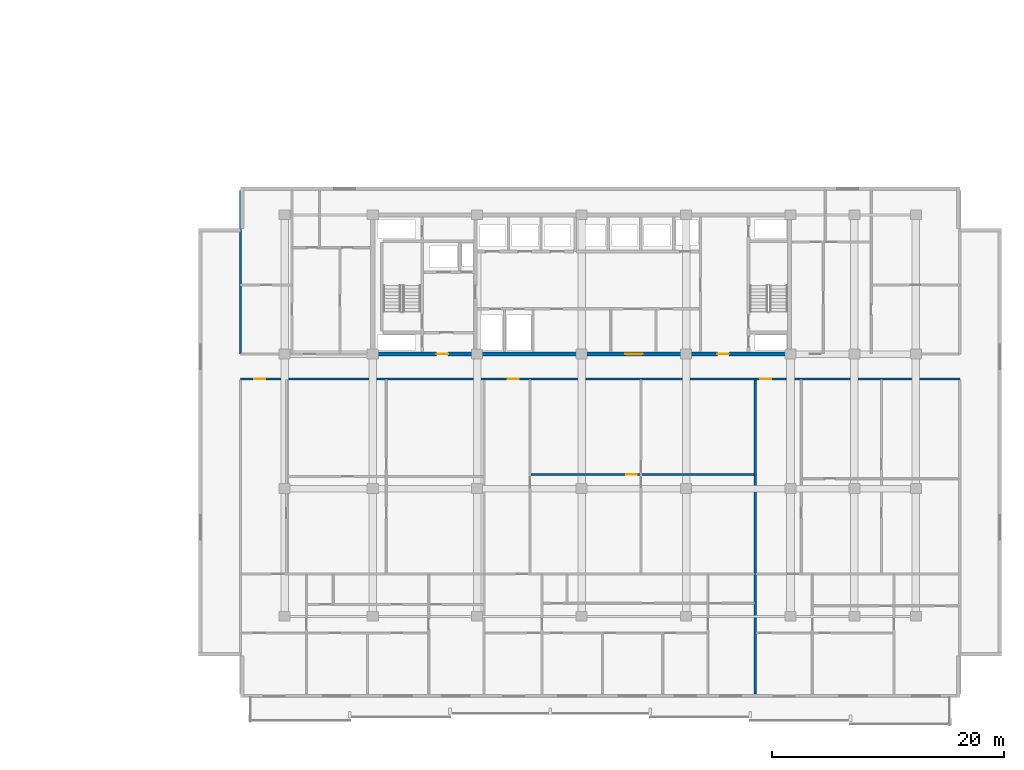
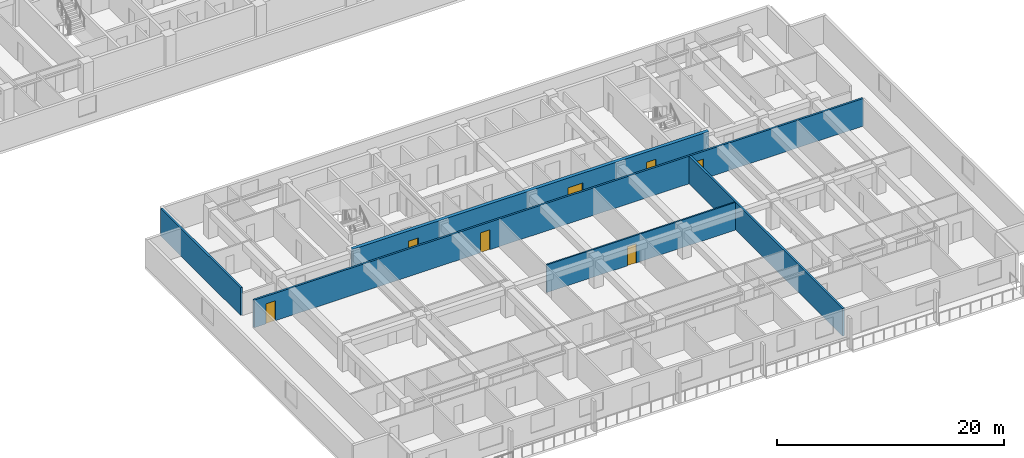
# One storey, part 5 of 23: 7 doors, 5 walls, 7 openings.
"""IFC4 building model written with IfcOpenShell, lengths in metres."""

from ifc_helpers import new_model, si_unit, direction, frame, frame_2d, origin, place, context, subcontext, project, spatial, rectangle, extrude, material, layer, layer_set, type_object, element, fill, save


model = new_model("IFC4")

# Units and contexts
model_context = context("Model", 3, precision=1e-05, world=origin(), true_north=direction((0.0, 1.0)))
body_context = subcontext(model_context, "Body", "Model", "MODEL_VIEW")
ifc_project = project(units=[si_unit("LENGTHUNIT", "METRE"), si_unit("AREAUNIT", "SQUARE_METRE"), si_unit("VOLUMEUNIT", "CUBIC_METRE"), si_unit("PLANEANGLEUNIT", "RADIAN"), si_unit("MASSUNIT", "GRAM", prefix="KILO")], contexts=[model_context])

# Site, building, storey
site_placement = place(None, origin())
site = spatial("IfcSite", under=ifc_project, at=site_placement, CompositionType="ELEMENT")
building_placement = place(site_placement, origin())
building = spatial("IfcBuilding", under=site, at=building_placement, Name="Korimba Cascade Residences", CompositionType="ELEMENT")
storey_placement = place(building_placement, frame((0.0, 0.0, 53.25)))
storey = spatial("IfcBuildingStorey", under=building, at=storey_placement, Name="L14", CompositionType="ELEMENT", Elevation=53.25)

# Wall, openings, doors
ifc_material_1 = material(Name="Concrete C65/80", Category="concrete")
ifc_layer_1 = layer(ifc_material_1, 0.35009765625)
ifc_layer_set_1 = layer_set([ifc_layer_1], Name="Concrete C65/80")
wall_type_1 = type_object("IfcWallType", Name="WAL-CORE-350", PredefinedType="SHEAR", material=ifc_layer_set_1)
wall_1_placement = place(storey_placement, frame((81.925048828125, 18.39990234375, 0.0), z_axis=(0.0, 0.0, 1.0), x_axis=(1.0, 0.0, 0.0)))
wall_1 = element("IfcWall", 1, at=wall_1_placement, inside=storey, type_object=wall_type_1, Name="L14 Core Shear Wall CW-L14-T2-S", PredefinedType="SHEAR", context=body_context, shape_type="SweptSolid", body=[
    extrude(rectangle(XDim=36.264892578125, YDim=0.35009765625, at=frame_2d((18.13232421875, 0.0))), origin(), (0.0, 0.0, 1.0), 3.25),
])
opening_1_placement = place(wall_1_placement, frame((5.675048828125, 0.0, 0.0)))
opening_1 = element("IfcOpeningElement", 2, at=opening_1_placement, cuts=wall_1, Name="Opening D-FD5", PredefinedType="OPENING", context=body_context, shape_type="SweptSolid", body=[
    extrude(rectangle(XDim=1.0, YDim=2.14990234375, at=frame_2d((0.5, 1.074951171875))), frame((0.0, 0.18505859375, 0.0), z_axis=(0.0, -1.0, 0.0), x_axis=(1.0, 0.0, 0.0)), (0.0, 0.0, 1.0), 0.3701171875),
])
opening_2_placement = place(wall_1_placement, frame((21.925048828125, 0.0, 0.0)))
opening_2 = element("IfcOpeningElement", 3, at=opening_2_placement, cuts=wall_1, Name="Opening D-FD8", PredefinedType="OPENING", context=body_context, shape_type="SweptSolid", body=[
    extrude(rectangle(XDim=1.5, YDim=2.199951171875, at=frame_2d((0.75, 1.10009765625))), frame((0.0, 0.18505859375, 0.0), z_axis=(0.0, -1.0, 0.0), x_axis=(1.0, 0.0, 0.0)), (0.0, 0.0, 1.0), 0.3701171875),
])
opening_3_placement = place(wall_1_placement, frame((29.875, 0.0, 0.0)))
opening_3 = element("IfcOpeningElement", 4, at=opening_3_placement, cuts=wall_1, Name="Opening D-FD5", PredefinedType="OPENING", context=body_context, shape_type="SweptSolid", body=[
    extrude(rectangle(XDim=1.0, YDim=2.14990234375, at=frame_2d((0.5, 1.074951171875))), frame((0.0, 0.18505859375, 0.0), z_axis=(0.0, -1.0, 0.0), x_axis=(1.0, 0.0, 0.0)), (0.0, 0.0, 1.0), 0.3701171875),
])
ifc_material_2 = material(Name="Fire-Rated Acoustic Timber Vestibule Door", Category="wood")
door_type_1 = type_object("IfcDoorType", Name="DR-FD90-1000", OperationType="NOTDEFINED", PredefinedType="DOOR", material=ifc_material_2)
door_1_placement = place(opening_1_placement, origin())
door_1 = element("IfcDoor", 5, at=door_1_placement, inside=storey, type_object=door_type_1, Name="L14 T2 West Core Vestibule Fire Door", OperationType="SINGLE_SWING_RIGHT", OverallHeight=2.14990234375, OverallWidth=1.0, PredefinedType="DOOR", context=body_context, shape_type="SweptSolid", body=[
    extrude(rectangle(XDim=1.0, YDim=2.14990234375, at=frame_2d((0.5, 1.074951171875))), frame((0.0, 0.02490234375, 0.0), z_axis=(0.0, -1.0, 0.0), x_axis=(1.0, 0.0, 0.0)), (0.0, 0.0, 1.0), 0.050048828125),
])
fill(opening_1, door_1)
door_2_placement = place(opening_3_placement, origin())
door_2 = element("IfcDoor", 6, at=door_2_placement, inside=storey, type_object=door_type_1, Name="L14 T2 East Stair Vestibule Fire Door", OperationType="SINGLE_SWING_LEFT", OverallHeight=2.14990234375, OverallWidth=1.0, PredefinedType="DOOR", context=body_context, shape_type="SweptSolid", body=[
    extrude(rectangle(XDim=1.0, YDim=2.14990234375, at=frame_2d((0.5, 1.074951171875))), frame((0.0, 0.02490234375, 0.0), z_axis=(0.0, -1.0, 0.0), x_axis=(1.0, 0.0, 0.0)), (0.0, 0.0, 1.0), 0.050048828125),
])
fill(opening_3, door_2)
ifc_material_3 = material(Name="Fire-Rated Glazed Lift Lobby Double Door", Category="glass")
door_type_2 = type_object("IfcDoorType", Name="DR-FD90-1500", OperationType="NOTDEFINED", PredefinedType="DOOR", material=ifc_material_3)
door_3_placement = place(opening_2_placement, origin())
door_3 = element("IfcDoor", 7, at=door_3_placement, inside=storey, type_object=door_type_2, Name="L14 T2 Lift Lobby Fire Door", OperationType="DOUBLE_DOOR_SINGLE_SWING", OverallHeight=2.199951171875, OverallWidth=1.5, PredefinedType="DOOR", context=body_context, shape_type="SweptSolid", body=[
    extrude(rectangle(XDim=1.5, YDim=2.199951171875, at=frame_2d((0.75, 1.10009765625))), frame((0.0, 0.02490234375, 0.0), z_axis=(0.0, -1.0, 0.0), x_axis=(1.0, 0.0, 0.0)), (0.0, 0.0, 1.0), 0.050048828125),
])
fill(opening_2, door_3)

# Walls
ifc_material_4 = material(Name="Precast concrete C40/50", Category="concrete")
ifc_layer_2 = layer(ifc_material_4, 0.199951171875)
ifc_layer_set_2 = layer_set([ifc_layer_2], Name="Precast concrete C40/50")
wall_type_2 = type_object("IfcWallType", Name="WAL-IT-200", PredefinedType="PARTITIONING", material=ifc_layer_set_2)
wall_2_placement = place(storey_placement, frame((70.699951171875, 18.39990234375, 0.0), z_axis=(0.0, 0.0, 1.0), x_axis=(0.0, 1.0, 0.0)))
element("IfcWall", 8, at=wall_2_placement, inside=storey, type_object=wall_type_2, Name="L14 Partition Wall WAL-L14-T2-FW-WL", PredefinedType="PARTITIONING", context=body_context, shape_type="SweptSolid", body=[
    extrude(rectangle(XDim=14.10009765625, YDim=0.199951171875, at=frame_2d((7.050048828125, 0.0))), origin(), (0.0, 0.0, 1.0), 2.969970703125),
])
wall_3_placement = place(storey_placement, frame((115.055908203125, -10.89990234375, 0.0), z_axis=(0.0, 0.0, 1.0), x_axis=(0.0, 1.0, 0.0)))
element("IfcWall", 9, at=wall_3_placement, inside=storey, type_object=wall_type_2, Name="L14 Partition Wall WAL-L14-T2-DEM-2", PredefinedType="PARTITIONING", context=body_context, shape_type="SweptSolid", body=[
    extrude(rectangle(XDim=27.06982421875, YDim=0.199951171875, at=frame_2d((13.534912109375, 0.0))), origin(), (0.0, 0.0, 1.0), 2.969970703125),
])

# Wall, openings, doors
wall_4_placement = place(storey_placement, frame((70.699951171875, 16.25, 0.0), z_axis=(0.0, 0.0, 1.0), x_axis=(1.0, 0.0, 0.0)))
wall_4 = element("IfcWall", 10, at=wall_4_placement, inside=storey, type_object=wall_type_2, Name="L14 Partition Wall WAL-L14-T2-CORS", PredefinedType="PARTITIONING", context=body_context, shape_type="SweptSolid", body=[
    extrude(rectangle(XDim=62.0, YDim=0.199951171875, at=frame_2d((31.0, 0.0))), origin(), (0.0, 0.0, 1.0), 2.969970703125),
])
opening_4_placement = place(wall_4_placement, frame((1.18603515625, 0.0, 0.0)))
opening_4 = element("IfcOpeningElement", 11, at=opening_4_placement, cuts=wall_4, Name="Opening D-UN1", PredefinedType="OPENING", context=body_context, shape_type="SweptSolid", body=[
    extrude(rectangle(XDim=0.949951171875, YDim=2.14990234375, at=frame_2d((0.47509765625, 1.074951171875))), frame((0.0, 0.10986328125, 0.0), z_axis=(0.0, -1.0, 0.0), x_axis=(1.0, 0.0, 0.0)), (0.0, 0.0, 1.0), 0.219970703125),
])
opening_5_placement = place(wall_4_placement, frame((23.033447265625, 0.0, 0.0)))
opening_5 = element("IfcOpeningElement", 12, at=opening_5_placement, cuts=wall_4, Name="Opening D-UN1", PredefinedType="OPENING", context=body_context, shape_type="SweptSolid", body=[
    extrude(rectangle(XDim=0.949951171875, YDim=2.14990234375, at=frame_2d((0.47509765625, 1.074951171875))), frame((0.0, 0.10986328125, 0.0), z_axis=(0.0, -1.0, 0.0), x_axis=(1.0, 0.0, 0.0)), (0.0, 0.0, 1.0), 0.219970703125),
])
opening_6_placement = place(wall_4_placement, frame((44.773681640625, 0.0, 0.0)))
opening_6 = element("IfcOpeningElement", 13, at=opening_6_placement, cuts=wall_4, Name="Opening D-UN1", PredefinedType="OPENING", context=body_context, shape_type="SweptSolid", body=[
    extrude(rectangle(XDim=0.949951171875, YDim=2.14990234375, at=frame_2d((0.47509765625, 1.074951171875))), frame((0.0, 0.10986328125, 0.0), z_axis=(0.0, -1.0, 0.0), x_axis=(1.0, 0.0, 0.0)), (0.0, 0.0, 1.0), 0.219970703125),
])
ifc_material_5 = material(Name="Fire-Rated Hardwood Apartment Entrance Door", Category="wood")
door_type_3 = type_object("IfcDoorType", Name="DR-FD60-950", OperationType="NOTDEFINED", PredefinedType="DOOR", material=ifc_material_5)
door_4_placement = place(opening_4_placement, origin())
door_4 = element("IfcDoor", 14, at=door_4_placement, inside=storey, type_object=door_type_3, Name="Unit L14-T2-U01 Entrance Door", OperationType="SINGLE_SWING_LEFT", OverallHeight=2.14990234375, OverallWidth=0.949951171875, PredefinedType="DOOR", context=body_context, shape_type="SweptSolid", body=[
    extrude(rectangle(XDim=0.949951171875, YDim=2.14990234375, at=frame_2d((0.47509765625, 1.074951171875))), frame((0.0, 0.02490234375, 0.0), z_axis=(0.0, -1.0, 0.0), x_axis=(1.0, 0.0, 0.0)), (0.0, 0.0, 1.0), 0.050048828125),
])
fill(opening_4, door_4)
door_5_placement = place(opening_5_placement, origin())
door_5 = element("IfcDoor", 15, at=door_5_placement, inside=storey, type_object=door_type_3, Name="Unit L14-T2-U02 Entrance Door", OperationType="SINGLE_SWING_RIGHT", OverallHeight=2.14990234375, OverallWidth=0.949951171875, PredefinedType="DOOR", context=body_context, shape_type="SweptSolid", body=[
    extrude(rectangle(XDim=0.949951171875, YDim=2.14990234375, at=frame_2d((0.47509765625, 1.074951171875))), frame((0.0, 0.02490234375, 0.0), z_axis=(0.0, -1.0, 0.0), x_axis=(1.0, 0.0, 0.0)), (0.0, 0.0, 1.0), 0.050048828125),
])
fill(opening_5, door_5)
door_6_placement = place(opening_6_placement, origin())
door_6 = element("IfcDoor", 16, at=door_6_placement, inside=storey, type_object=door_type_3, Name="Unit L14-T2-U03 Entrance Door", OperationType="SINGLE_SWING_LEFT", OverallHeight=2.14990234375, OverallWidth=0.949951171875, PredefinedType="DOOR", context=body_context, shape_type="SweptSolid", body=[
    extrude(rectangle(XDim=0.949951171875, YDim=2.14990234375, at=frame_2d((0.47509765625, 1.074951171875))), frame((0.0, 0.02490234375, 0.0), z_axis=(0.0, -1.0, 0.0), x_axis=(1.0, 0.0, 0.0)), (0.0, 0.0, 1.0), 0.050048828125),
])
fill(opening_6, door_6)

# Wall, opening, door
ifc_material_6 = material(Name="Insulated Acoustic Stud Partition", Category="gypsum")
ifc_layer_3 = layer(ifc_material_6, 0.14990234375)
ifc_layer_set_3 = layer_set([ifc_layer_3], Name="Insulated Acoustic Stud Partition")
wall_type_3 = type_object("IfcWallType", Name="WAL-PART-150", PredefinedType="PARTITIONING", material=ifc_layer_set_3)
wall_5_placement = place(storey_placement, frame((95.718505859375, 8.02001953125, 0.0), z_axis=(0.0, 0.0, 1.0), x_axis=(1.0, 0.0, 0.0)))
wall_5 = element("IfcWall", 17, at=wall_5_placement, inside=storey, type_object=wall_type_3, Name="L14 Partition Wall WAL-L14-T2-U02-FMH", PredefinedType="PARTITIONING", context=body_context, shape_type="SweptSolid", body=[
    extrude(rectangle(XDim=19.25732421875, YDim=0.14990234375, at=frame_2d((9.628662109375, 0.0))), origin(), (0.0, 0.0, 1.0), 2.969970703125),
])
opening_7_placement = place(wall_5_placement, frame((8.24755859375, 0.0, 0.0)))
opening_7 = element("IfcOpeningElement", 18, at=opening_7_placement, cuts=wall_5, Name="Opening D-IN2", PredefinedType="OPENING", context=body_context, shape_type="SweptSolid", body=[
    extrude(rectangle(XDim=0.8798828125, YDim=2.06005859375, at=frame_2d((0.43994140625, 1.030029296875))), frame((0.0, 0.0849609375, 0.0), z_axis=(0.0, -1.0, 0.0), x_axis=(1.0, 0.0, 0.0)), (0.0, 0.0, 1.0), 0.169921875),
])
ifc_material_7 = material(Name="Acoustic Timber Bedroom Door", Category="wood")
door_type_4 = type_object("IfcDoorType", Name="DR-INT-880", OperationType="NOTDEFINED", PredefinedType="DOOR", material=ifc_material_7)
door_7_placement = place(opening_7_placement, origin())
door_7 = element("IfcDoor", 19, at=door_7_placement, inside=storey, type_object=door_type_4, Name="L14-T2-U02 Library Salon Door", OperationType="SINGLE_SWING_RIGHT", OverallHeight=2.06005859375, OverallWidth=0.8798828125, PredefinedType="DOOR", context=body_context, shape_type="SweptSolid", body=[
    extrude(rectangle(XDim=0.8798828125, YDim=2.06005859375, at=frame_2d((0.43994140625, 1.030029296875))), frame((0.0, 0.02490234375, 0.0), z_axis=(0.0, -1.0, 0.0), x_axis=(1.0, 0.0, 0.0)), (0.0, 0.0, 1.0), 0.050048828125),
])
fill(opening_7, door_7)

save(model, "model.ifc")
